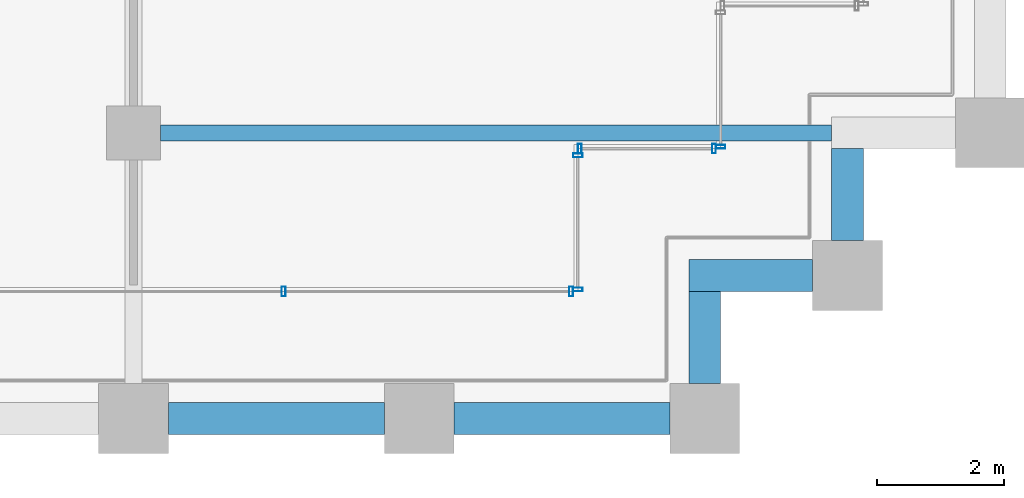
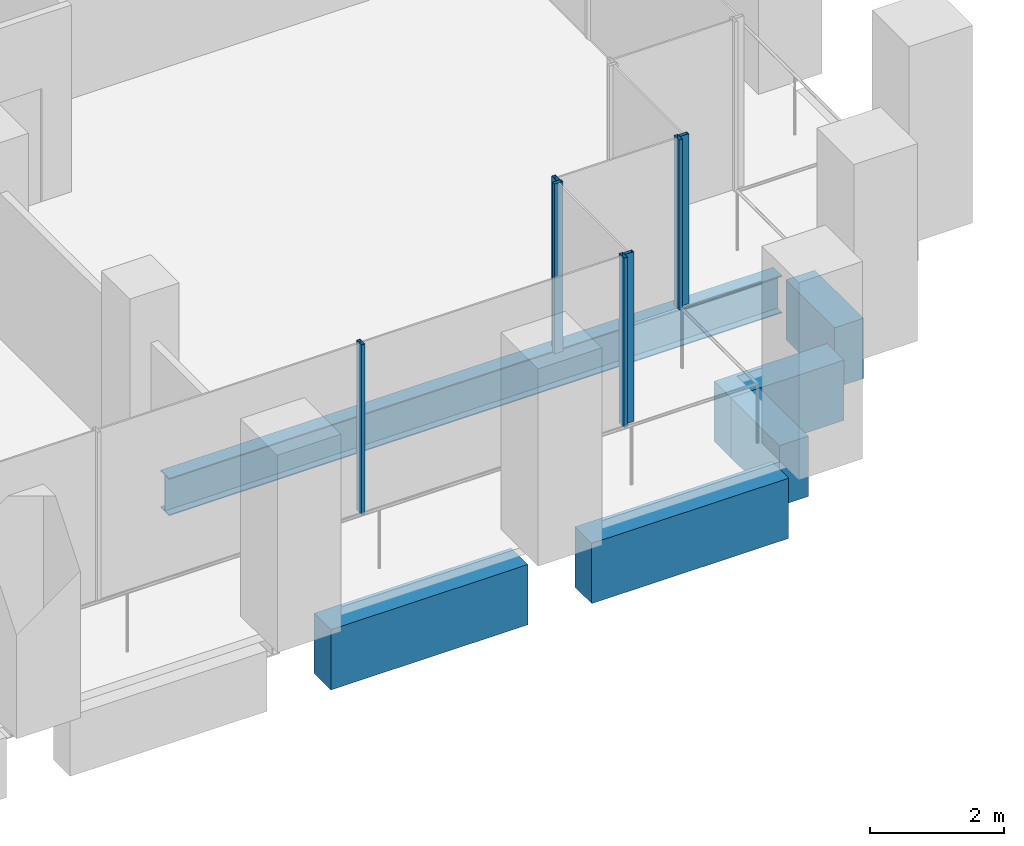
# One storey, part 15 of 56: 7 members, 6 beams, 4 elements without a shape of their own.
"""IFC4 building model written with IfcOpenShell, lengths in metres."""

from ifc_helpers import new_model, si_unit, direction, frame, origin, origin_2d, place, context, subcontext, project, spatial, rectangle, hollow_rectangle, i_section, extrude, material, material_profile, profile_set, type_object, element, aggregate, save


model = new_model("IFC4")

# Units and contexts
model_context = context("Model", 3, precision=1e-05, world=origin(), true_north=direction((0.0, 1.0)))
body_context = subcontext(model_context, "Body", "Model", "MODEL_VIEW")
ifc_project = project(units=[si_unit("LENGTHUNIT", "METRE"), si_unit("AREAUNIT", "SQUARE_METRE"), si_unit("VOLUMEUNIT", "CUBIC_METRE"), si_unit("PLANEANGLEUNIT", "RADIAN"), si_unit("MASSUNIT", "GRAM", prefix="KILO")], contexts=[model_context])

# Site, building, storey
site_placement = place(None, origin())
site = spatial("IfcSite", under=ifc_project, at=site_placement, CompositionType="ELEMENT")
building_placement = place(site_placement, origin())
building = spatial("IfcBuilding", under=site, at=building_placement, Name="Altepetl Exchange Towers", CompositionType="ELEMENT")
storey_placement = place(building_placement, frame((0.0, 0.0, 51.0)))
storey = spatial("IfcBuildingStorey", under=building, at=storey_placement, Name="L11", CompositionType="ELEMENT", Elevation=51.0)

# Beam
ifc_material_1 = material(Name="Steel S355", Category="steel")
ifc_material_profile_1 = material_profile(ifc_material_1, i_section(OverallWidth=0.25390625, OverallDepth=0.68408203125, WebThickness=0.012451171875, FlangeThickness=0.018798828125, at=origin_2d()), Name="W27X94")
ifc_profile_set_1 = profile_set([ifc_material_profile_1], Name="Steel S355")
beam_type_1 = type_object("IfcBeamType", Name="Floor beam W27X94", PredefinedType="BEAM", material=ifc_profile_set_1)
beam_1_placement = place(storey_placement, frame((58.925048828125, 31.5, -0.491943359375), z_axis=(1.0, 0.0, 0.0), x_axis=(0.0, 1.0, 0.0)))
element("IfcBeam", 1, at=beam_1_placement, inside=storey, type_object=beam_type_1, Name="bm:A:L11:006", PredefinedType="BEAM", context=body_context, shape_type="SweptSolid", body=[
    extrude(i_section(OverallWidth=0.25390625, OverallDepth=0.68408203125, WebThickness=0.012451171875, FlangeThickness=0.018798828125, at=origin_2d()), origin(), (0.0, 0.0, 1.0), 10.574951171875),
])

# Curtain wall, members
ifc_material_2 = material(Name="Aluminium 6063-T6 glazing", Category="aluminium")
curtain_wall_type = type_object("IfcCurtainWallType", Name="Loggia glazing system", PredefinedType="NOTDEFINED", material=ifc_material_2)
curtain_wall_1_placement = place(storey_placement, origin())
curtain_wall_1 = element("IfcCurtainWall", 2, at=curtain_wall_1_placement, inside=storey, type_object=curtain_wall_type, Name="CW1 run", PredefinedType="NOTDEFINED")
ifc_material_3 = material(Name="Aluminium 6063-T6", Category="aluminium")
ifc_material_profile_2 = material_profile(ifc_material_3, hollow_rectangle(XDim=0.06005859375, YDim=0.14990234375, WallThickness=0.0029296875, at=origin_2d()), Name="Mullion 60x150 aluminium")
ifc_profile_set_2 = profile_set([ifc_material_profile_2], Name="Aluminium 6063-T6")
member_type = type_object("IfcMemberType", Name="Mullion 60x150 aluminium", PredefinedType="MULLION", material=ifc_profile_set_2)
member_1_placement = place(storey_placement, frame((60.8642578125, 29.0, 0.0)))
member_1 = element("IfcMember", 3, at=member_1_placement, type_object=member_type, Name="MU1 mullion", PredefinedType="MULLION", context=body_context, shape_type="SweptSolid", body=[
    extrude(hollow_rectangle(XDim=0.06005859375, YDim=0.14990234375, WallThickness=0.0029296875, at=origin_2d()), origin(), (0.0, 0.0, 1.0), 3.10009765625),
])
member_2_placement = place(storey_placement, frame((65.39501953125, 29.0, 0.0)))
member_2 = element("IfcMember", 4, at=member_2_placement, type_object=member_type, Name="MU1 mullion", PredefinedType="MULLION", context=body_context, shape_type="SweptSolid", body=[
    extrude(hollow_rectangle(XDim=0.06005859375, YDim=0.14990234375, WallThickness=0.0029296875, at=origin_2d()), origin(), (0.0, 0.0, 1.0), 3.10009765625),
])
aggregate(curtain_wall_1, [member_1, member_2])

curtain_wall_2_placement = place(storey_placement, origin())
curtain_wall_2 = element("IfcCurtainWall", 5, at=curtain_wall_2_placement, inside=storey, type_object=curtain_wall_type, Name="CW1 run", PredefinedType="NOTDEFINED")
member_3_placement = place(storey_placement, frame((65.5, 29.030029296875, 0.0), z_axis=(0.0, 0.0, 1.0), x_axis=(0.0, 1.0, 0.0)))
member_3 = element("IfcMember", 6, at=member_3_placement, type_object=member_type, Name="MU1 mullion", PredefinedType="MULLION", context=body_context, shape_type="SweptSolid", body=[
    extrude(hollow_rectangle(XDim=0.06005859375, YDim=0.14990234375, WallThickness=0.0029296875, at=origin_2d()), origin(), (0.0, 0.0, 1.0), 3.10009765625),
])
member_4_placement = place(storey_placement, frame((65.5, 31.14501953125, 0.0), z_axis=(0.0, 0.0, 1.0), x_axis=(0.0, 1.0, 0.0)))
member_4 = element("IfcMember", 7, at=member_4_placement, type_object=member_type, Name="MU1 mullion", PredefinedType="MULLION", context=body_context, shape_type="SweptSolid", body=[
    extrude(hollow_rectangle(XDim=0.06005859375, YDim=0.14990234375, WallThickness=0.0029296875, at=origin_2d()), origin(), (0.0, 0.0, 1.0), 3.10009765625),
])
aggregate(curtain_wall_2, [member_3, member_4])

curtain_wall_3_placement = place(storey_placement, origin())
curtain_wall_3 = element("IfcCurtainWall", 8, at=curtain_wall_3_placement, inside=storey, type_object=curtain_wall_type, Name="CW1 run", PredefinedType="NOTDEFINED")
member_5_placement = place(storey_placement, frame((65.530029296875, 31.25, 0.0)))
member_5 = element("IfcMember", 9, at=member_5_placement, type_object=member_type, Name="MU1 mullion", PredefinedType="MULLION", context=body_context, shape_type="SweptSolid", body=[
    extrude(hollow_rectangle(XDim=0.06005859375, YDim=0.14990234375, WallThickness=0.0029296875, at=origin_2d()), origin(), (0.0, 0.0, 1.0), 3.10009765625),
])
member_6_placement = place(storey_placement, frame((67.64501953125, 31.25, 0.0)))
member_6 = element("IfcMember", 10, at=member_6_placement, type_object=member_type, Name="MU1 mullion", PredefinedType="MULLION", context=body_context, shape_type="SweptSolid", body=[
    extrude(hollow_rectangle(XDim=0.06005859375, YDim=0.14990234375, WallThickness=0.0029296875, at=origin_2d()), origin(), (0.0, 0.0, 1.0), 3.10009765625),
])
aggregate(curtain_wall_3, [member_5, member_6])

# Curtain wall, member
curtain_wall_4_placement = place(storey_placement, origin())
curtain_wall_4 = element("IfcCurtainWall", 11, at=curtain_wall_4_placement, inside=storey, type_object=curtain_wall_type, Name="CW1 run", PredefinedType="NOTDEFINED")
member_7_placement = place(storey_placement, frame((67.75, 31.280029296875, 0.0), z_axis=(0.0, 0.0, 1.0), x_axis=(0.0, 1.0, 0.0)))
member_7 = element("IfcMember", 12, at=member_7_placement, type_object=member_type, Name="MU1 mullion", PredefinedType="MULLION", context=body_context, shape_type="SweptSolid", body=[
    extrude(hollow_rectangle(XDim=0.06005859375, YDim=0.14990234375, WallThickness=0.0029296875, at=origin_2d()), origin(), (0.0, 0.0, 1.0), 3.10009765625),
])
aggregate(curtain_wall_4, [member_7])

# Beams
ifc_material_4 = material(Name="Concrete C50/60 precast with cantera amarilla facing", Category="concrete")
ifc_material_profile_3 = material_profile(ifc_material_4, rectangle(XDim=0.5, YDim=1.10009765625, at=origin_2d()), Name="500 x 1100")
ifc_profile_set_3 = profile_set([ifc_material_profile_3], Name="Concrete C50/60 precast with cantera amarilla facing")
beam_type_2 = type_object("IfcBeamType", Name="Spandrel beam 500x1100 cantera amarilla", PredefinedType="SPANDREL", material=ifc_profile_set_3)
for number, where, z_axis, x_axis, name in (
    (13, (59.050048828125, 27.0, -0.699951171875), (1.0, 0.0, 0.0), (0.0, 1.0, 0.0), "sp:A:L11:006"),
    (14, (63.550048828125, 27.0, -0.699951171875), (1.0, 0.0, 0.0), (0.0, 1.0, 0.0), "sp:A:L11:007"),
):
    element("IfcBeam", number, at=place(storey_placement, frame(where, z_axis=z_axis, x_axis=x_axis)), inside=storey, type_object=beam_type_2, Name=name, PredefinedType="SPANDREL", context=body_context, shape_type="SweptSolid", body=[
        extrude(rectangle(XDim=0.5, YDim=1.10009765625, at=origin_2d()), origin(), (0.0, 0.0, 1.0), 3.39990234375),
    ])
beam_2_placement = place(storey_placement, frame((67.5, 27.550048828125, -0.699951171875), z_axis=(0.0, 1.0, 0.0), x_axis=(-1.0, 0.0, 0.0)))
element("IfcBeam", 15, at=beam_2_placement, inside=storey, type_object=beam_type_2, Name="sp:A:L11:008", PredefinedType="SPANDREL", context=body_context, shape_type="SweptSolid", body=[
    extrude(rectangle(XDim=0.5, YDim=1.10009765625, at=origin_2d()), origin(), (0.0, 0.0, 1.0), 1.449951171875),
])
beam_3_placement = place(storey_placement, frame((67.25, 29.25, -0.699951171875), z_axis=(1.0, 0.0, 0.0), x_axis=(0.0, 1.0, 0.0)))
element("IfcBeam", 16, at=beam_3_placement, inside=storey, type_object=beam_type_2, Name="sp:A:L11:009", PredefinedType="SPANDREL", context=body_context, shape_type="SweptSolid", body=[
    extrude(rectangle(XDim=0.5, YDim=1.10009765625, at=origin_2d()), origin(), (0.0, 0.0, 1.0), 1.949951171875),
])
beam_4_placement = place(storey_placement, frame((69.75, 29.800048828125, -0.699951171875), z_axis=(0.0, 1.0, 0.0), x_axis=(-1.0, 0.0, 0.0)))
element("IfcBeam", 17, at=beam_4_placement, inside=storey, type_object=beam_type_2, Name="sp:A:L11:010", PredefinedType="SPANDREL", context=body_context, shape_type="SweptSolid", body=[
    extrude(rectangle(XDim=0.5, YDim=1.10009765625, at=origin_2d()), origin(), (0.0, 0.0, 1.0), 1.449951171875),
])

save(model, "model.ifc")
